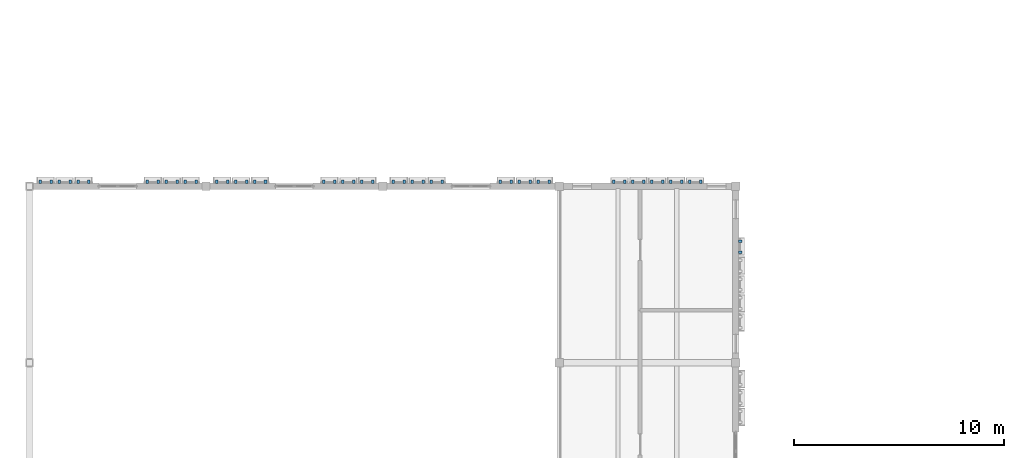
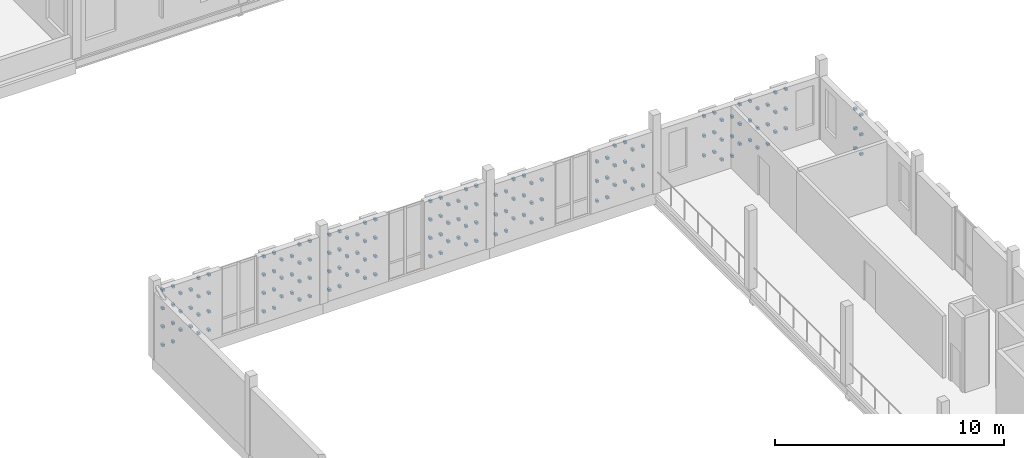
# One storey, part 73 of 81: 160 discrete accessories.
"""IFC4 building model written with IfcOpenShell, lengths in metres."""

import ifcopenshell
import ifcopenshell.guid

model = None  # the IFC model being written
_history = None  # IfcOwnerHistory: only IFC2X3 demands one
_inside = {}  # id of a spatial element -> (the spatial element, [elements in it])
_under = {}  # id of a project, library or spatial element -> (it, [spatial elements below it])
_declared = {}  # id of a project -> (the project, [libraries it declares])
_typed = {}  # id of a type object -> (the type object, [elements of that type])
_made_of = {}  # id of a material, layer set ... -> (it, [elements and type objects made of it])


def new_model(schema):
    """Start an empty IFC model of exactly this schema.

    Asked for "IFC4X3", IfcOpenShell would pick the latest addendum, in which some entities
    have other attributes; the version numbers below select the first issue.
    IFC2X3 requires an IfcOwnerHistory on every rooted entity: one is made here for all.
    """
    global model, _history
    if schema == "IFC4X3":
        model = ifcopenshell.file(schema_version=(4, 3, 0, 0))
    else:
        model = ifcopenshell.file(schema=schema)
    _inside.clear()
    _under.clear()
    _declared.clear()
    _typed.clear()
    _made_of.clear()
    _history = None
    if model.schema == "IFC2X3":
        org = make("IfcOrganization", Name="unknown")
        user = make(
            "IfcPersonAndOrganization",
            ThePerson=make("IfcPerson", FamilyName="unknown"),
            TheOrganization=org,
        )
        app = make(
            "IfcApplication",
            ApplicationDeveloper=org,
            Version="unknown",
            ApplicationFullName="unknown",
            ApplicationIdentifier="unknown",
        )
        _history = make(
            "IfcOwnerHistory",
            OwningUser=user,
            OwningApplication=app,
            ChangeAction="ADDED",
            CreationDate=0,
        )
    return model


def make(cls, **values):
    """One entity of the class cls with the attributes given. An attribute that is None is left unset."""
    return model.create_entity(
        cls, **{name: value for name, value in values.items() if value is not None}
    )


def rooted(cls, **values):
    """An entity with a GlobalId (a new one), such as an element, a storey or a relation."""
    return make(cls, GlobalId=ifcopenshell.guid.new(), OwnerHistory=_history, **values)


def si_unit(unit_type, name, prefix=None):
    """IfcSIUnit, for example si_unit("LENGTHUNIT", "METRE", prefix="MILLI")."""
    return make("IfcSIUnit", UnitType=unit_type, Prefix=prefix, Name=name)


def assignment(units):
    """IfcUnitAssignment: the units of a project."""
    return None if units is None else make("IfcUnitAssignment", Units=units)


def point(xyz):
    """IfcCartesianPoint."""
    return None if xyz is None else make("IfcCartesianPoint", Coordinates=xyz)


def direction(xyz):
    """IfcDirection."""
    return None if xyz is None else make("IfcDirection", DirectionRatios=xyz)


def frame(location, z_axis=None, x_axis=None):
    """IfcAxis2Placement3D, a coordinate frame: its origin and axes. An axis left out is left unset."""
    return make(
        "IfcAxis2Placement3D",
        Location=point(location),
        Axis=direction(z_axis),
        RefDirection=direction(x_axis),
    )


def frame_2d(location, x_axis=None):
    """IfcAxis2Placement2D, a coordinate frame in the plane: its origin and x axis."""
    return make(
        "IfcAxis2Placement2D", Location=point(location), RefDirection=direction(x_axis)
    )


def origin():
    """The frame at (0, 0, 0) with its axes left unset."""
    return frame((0.0, 0.0, 0.0))


def origin_2d():
    """The frame at (0, 0) in the plane with its x axis left unset."""
    return frame_2d((0.0, 0.0))


def place(relative_to, where):
    """IfcLocalPlacement: puts the frame where relative to a parent placement (None: the world)."""
    return make(
        "IfcLocalPlacement", PlacementRelTo=relative_to, RelativePlacement=where
    )


def context(
    kind, dimensions, precision=None, world=None, true_north=None, identifier=None
):
    """IfcGeometricRepresentationContext, for example the 3D "Model" context."""
    return make(
        "IfcGeometricRepresentationContext",
        ContextIdentifier=identifier,
        ContextType=kind,
        CoordinateSpaceDimension=dimensions,
        Precision=precision,
        WorldCoordinateSystem=world,
        TrueNorth=true_north,
    )


def subcontext(parent, identifier, kind, view, scale=None):
    """IfcGeometricRepresentationSubContext, for example "Body" below "Model"."""
    return make(
        "IfcGeometricRepresentationSubContext",
        ContextIdentifier=identifier,
        ContextType=kind,
        ParentContext=parent,
        TargetScale=scale,
        TargetView=view,
    )


def project(units=None, contexts=None):
    """IfcProject with its units and contexts."""
    return rooted(
        "IfcProject",
        Name="project",
        RepresentationContexts=contexts,
        UnitsInContext=assignment(units),
    )


def spatial(cls, under=None, at=None, **own):
    """A site, building, storey or space (cls), placed at a placement, below another one or the project."""
    s = rooted(cls, ObjectPlacement=at, **own)
    if under is not None:
        _under.setdefault(under.id(), (under, []))[1].append(s)
    return s


def profile(cls, at=None, kind="AREA", **sizes):
    """A parametric profile (cls). Its sizes go by their IFC names, for example OverallWidth=200.0."""
    return make(cls, ProfileType=kind, Position=at, **sizes)


def rectangle(**sizes):
    """IfcRectangleProfileDef."""
    return profile("IfcRectangleProfileDef", **sizes)


def extrude(swept, where, along, depth):
    """IfcExtrudedAreaSolid: the profile swept, set in the frame where, extruded along a direction by depth."""
    return make(
        "IfcExtrudedAreaSolid",
        SweptArea=swept,
        Position=where,
        ExtrudedDirection=direction(along),
        Depth=depth,
    )


def shape(context_of_items, identifier, shape_type, items):
    """IfcShapeRepresentation: the items that make up one representation, for example the "Body"."""
    return make(
        "IfcShapeRepresentation",
        ContextOfItems=context_of_items,
        RepresentationIdentifier=identifier,
        RepresentationType=shape_type,
        Items=items,
    )


def material(Name=None, Category=None):
    """IfcMaterial."""
    return make("IfcMaterial", Name=Name, Category=Category)


def made_of(thing, what):
    """Note that an element or type object is made of a material, layer set ...; save() writes the relation."""
    if what is not None:
        _made_of.setdefault(what.id(), (what, []))[1].append(thing)
    return thing


def type_object(cls, material=None, **own):
    """A type object (cls), such as IfcWallType, which elements share."""
    return made_of(rooted(cls, **own), material)


def element(
    cls,
    number,
    at=None,
    inside=None,
    cuts=None,
    type_object=None,
    material=None,
    context=None,
    identifier="Body",
    shape_type=None,
    held_by="IfcProductDefinitionShape",
    body=None,
    shapes=None,
    **own,
):
    """One element of the class cls, such as IfcWall. Its Tag is "e" and its number.

    at: its placement. inside: the storey or other place that contains it. cuts: it is an
    opening in that element (IfcRelVoidsElement). A single representation is given by context,
    identifier, shape_type and body (its items); several are given by shapes. held_by: the class
    of the entity that holds the representations. save() writes the other relations.
    """
    e = rooted(cls, Tag="e%d" % number, ObjectPlacement=at, **own)
    if body is not None:
        shapes = [shape(context, identifier, shape_type, body)]
    if shapes is not None:
        e.Representation = make(held_by, Representations=shapes)
    if inside is not None:
        _inside.setdefault(inside.id(), (inside, []))[1].append(e)
    if cuts is not None:
        rooted(
            "IfcRelVoidsElement", RelatingBuildingElement=cuts, RelatedOpeningElement=e
        )
    if type_object is not None:
        _typed.setdefault(type_object.id(), (type_object, []))[1].append(e)
    return made_of(e, material)


def aggregate(whole, parts):
    """IfcRelAggregates: a whole, such as a stair, and the parts it consists of."""
    return rooted("IfcRelAggregates", RelatingObject=whole, RelatedObjects=parts)


def save(model, path):
    """Write the relations noted so far, then the file.

    IfcRelAggregates (storeys below a building ...), IfcRelContainedInSpatialStructure (elements
    in a storey), IfcRelDefinesByType, IfcRelAssociatesMaterial and IfcRelDeclares: one each for
    every whole, place, type object, material and project.
    """
    for whole, parts in _under.values():
        aggregate(whole, parts)
    for where, things in _inside.values():
        rooted(
            "IfcRelContainedInSpatialStructure",
            RelatedElements=things,
            RelatingStructure=where,
        )
    for kind, things in _typed.values():
        rooted("IfcRelDefinesByType", RelatedObjects=things, RelatingType=kind)
    for what, things in _made_of.values():
        rooted("IfcRelAssociatesMaterial", RelatedObjects=things, RelatingMaterial=what)
    for by, libraries in _declared.values():
        rooted("IfcRelDeclares", RelatingContext=by, RelatedDefinitions=libraries)
    model.write(path)


model = new_model("IFC4")

# Units and contexts
model_context = context("Model", 3, precision=1e-05, world=origin(), true_north=direction((0.0, 1.0)))
body_context = subcontext(model_context, "Body", "Model", "MODEL_VIEW")
ifc_project = project(units=[si_unit("LENGTHUNIT", "METRE"), si_unit("AREAUNIT", "SQUARE_METRE"), si_unit("VOLUMEUNIT", "CUBIC_METRE"), si_unit("PLANEANGLEUNIT", "RADIAN"), si_unit("MASSUNIT", "GRAM", prefix="KILO")], contexts=[model_context])

# Site, building, storey
site_placement = place(None, origin())
site = spatial("IfcSite", under=ifc_project, at=site_placement, CompositionType="ELEMENT")
building_placement = place(site_placement, origin())
building = spatial("IfcBuilding", under=site, at=building_placement, Name="Kahlenmark Community Centre", CompositionType="ELEMENT")
storey_placement = place(building_placement, frame((0.0, 0.0, 9.60009765625)))
storey = spatial("IfcBuildingStorey", under=building, at=storey_placement, Name="L02", CompositionType="ELEMENT", Elevation=9.60009765625)

# Discrete accessories
ifc_material = material(Name="Stainless steel 1.4401 rainscreen bracket", Category="steel")
discrete_accessory_type = type_object("IfcDiscreteAccessoryType", Name="DAT-BRACKET-TC", PredefinedType="BRACKET", material=ifc_material)
for number, where, z_axis, x_axis, name in (
    (1, (11.929931640625, 76.2099609375, 0.264892578125), (0.0, 0.0, 1.0), (-1.0, 0.0, 0.0), "Terracotta cassette bracket 2473.1"),
    (2, (11.409912109375, 76.2099609375, 0.264892578125), (0.0, 0.0, 1.0), (-1.0, 0.0, 0.0), "Terracotta cassette bracket 2473.2"),
    (3, (11.929931640625, 76.2099609375, 1.244873046875), (0.0, 0.0, 1.0), (-1.0, 0.0, 0.0), "Terracotta cassette bracket 2475.1"),
    (4, (11.409912109375, 76.2099609375, 1.244873046875), (0.0, 0.0, 1.0), (-1.0, 0.0, 0.0), "Terracotta cassette bracket 2475.2"),
    (5, (11.929931640625, 76.2099609375, 2.224853515625), (0.0, 0.0, 1.0), (-1.0, 0.0, 0.0), "Terracotta cassette bracket 2477.1"),
    (6, (11.409912109375, 76.2099609375, 2.224853515625), (0.0, 0.0, 1.0), (-1.0, 0.0, 0.0), "Terracotta cassette bracket 2477.2"),
    (7, (11.929931640625, 76.2099609375, 3.204833984375), (0.0, 0.0, 1.0), (-1.0, 0.0, 0.0), "Terracotta cassette bracket 2479.1"),
    (8, (11.409912109375, 76.2099609375, 3.204833984375), (0.0, 0.0, 1.0), (-1.0, 0.0, 0.0), "Terracotta cassette bracket 2479.2"),
    (9, (11.030029296875, 76.2099609375, 0.7548828125), (0.0, 0.0, 1.0), (-1.0, 0.0, 0.0), "Terracotta cassette bracket 2481.1"),
    (10, (10.510009765625, 76.2099609375, 0.7548828125), (0.0, 0.0, 1.0), (-1.0, 0.0, 0.0), "Terracotta cassette bracket 2481.2"),
    (11, (11.030029296875, 76.2099609375, 1.73486328125), (0.0, 0.0, 1.0), (-1.0, 0.0, 0.0), "Terracotta cassette bracket 2483.1"),
    (12, (10.510009765625, 76.2099609375, 1.73486328125), (0.0, 0.0, 1.0), (-1.0, 0.0, 0.0), "Terracotta cassette bracket 2483.2"),
    (13, (11.030029296875, 76.2099609375, 2.71484375), (0.0, 0.0, 1.0), (-1.0, 0.0, 0.0), "Terracotta cassette bracket 2485.1"),
    (14, (10.510009765625, 76.2099609375, 2.71484375), (0.0, 0.0, 1.0), (-1.0, 0.0, 0.0), "Terracotta cassette bracket 2485.2"),
    (15, (10.1298828125, 76.2099609375, 0.264892578125), (0.0, 0.0, 1.0), (-1.0, 0.0, 0.0), "Terracotta cassette bracket 2487.1"),
    (16, (9.610107421875, 76.2099609375, 0.264892578125), (0.0, 0.0, 1.0), (-1.0, 0.0, 0.0), "Terracotta cassette bracket 2487.2"),
    (17, (10.1298828125, 76.2099609375, 1.244873046875), (0.0, 0.0, 1.0), (-1.0, 0.0, 0.0), "Terracotta cassette bracket 2489.1"),
    (18, (9.610107421875, 76.2099609375, 1.244873046875), (0.0, 0.0, 1.0), (-1.0, 0.0, 0.0), "Terracotta cassette bracket 2489.2"),
    (19, (10.1298828125, 76.2099609375, 2.224853515625), (0.0, 0.0, 1.0), (-1.0, 0.0, 0.0), "Terracotta cassette bracket 2491.1"),
    (20, (9.610107421875, 76.2099609375, 2.224853515625), (0.0, 0.0, 1.0), (-1.0, 0.0, 0.0), "Terracotta cassette bracket 2491.2"),
    (21, (10.1298828125, 76.2099609375, 3.204833984375), (0.0, 0.0, 1.0), (-1.0, 0.0, 0.0), "Terracotta cassette bracket 2493.1"),
    (22, (9.610107421875, 76.2099609375, 3.204833984375), (0.0, 0.0, 1.0), (-1.0, 0.0, 0.0), "Terracotta cassette bracket 2493.2"),
    (23, (6.830078125, 76.2099609375, 0.264892578125), (0.0, 0.0, 1.0), (-1.0, 0.0, 0.0), "Terracotta cassette bracket 2494.1"),
    (24, (6.31005859375, 76.2099609375, 0.264892578125), (0.0, 0.0, 1.0), (-1.0, 0.0, 0.0), "Terracotta cassette bracket 2494.2"),
    (25, (6.830078125, 76.2099609375, 1.244873046875), (0.0, 0.0, 1.0), (-1.0, 0.0, 0.0), "Terracotta cassette bracket 2496.1"),
    (26, (6.31005859375, 76.2099609375, 1.244873046875), (0.0, 0.0, 1.0), (-1.0, 0.0, 0.0), "Terracotta cassette bracket 2496.2"),
    (27, (6.830078125, 76.2099609375, 2.224853515625), (0.0, 0.0, 1.0), (-1.0, 0.0, 0.0), "Terracotta cassette bracket 2498.1"),
    (28, (6.31005859375, 76.2099609375, 2.224853515625), (0.0, 0.0, 1.0), (-1.0, 0.0, 0.0), "Terracotta cassette bracket 2498.2"),
    (29, (6.830078125, 76.2099609375, 3.204833984375), (0.0, 0.0, 1.0), (-1.0, 0.0, 0.0), "Terracotta cassette bracket 2500.1"),
    (30, (6.31005859375, 76.2099609375, 3.204833984375), (0.0, 0.0, 1.0), (-1.0, 0.0, 0.0), "Terracotta cassette bracket 2500.2"),
    (31, (5.929931640625, 76.2099609375, 0.7548828125), (0.0, 0.0, 1.0), (-1.0, 0.0, 0.0), "Terracotta cassette bracket 2502.1"),
    (32, (5.409912109375, 76.2099609375, 0.7548828125), (0.0, 0.0, 1.0), (-1.0, 0.0, 0.0), "Terracotta cassette bracket 2502.2"),
    (33, (5.929931640625, 76.2099609375, 1.73486328125), (0.0, 0.0, 1.0), (-1.0, 0.0, 0.0), "Terracotta cassette bracket 2504.1"),
    (34, (5.409912109375, 76.2099609375, 1.73486328125), (0.0, 0.0, 1.0), (-1.0, 0.0, 0.0), "Terracotta cassette bracket 2504.2"),
    (35, (5.929931640625, 76.2099609375, 2.71484375), (0.0, 0.0, 1.0), (-1.0, 0.0, 0.0), "Terracotta cassette bracket 2506.1"),
    (36, (5.409912109375, 76.2099609375, 2.71484375), (0.0, 0.0, 1.0), (-1.0, 0.0, 0.0), "Terracotta cassette bracket 2506.2"),
    (37, (5.030029296875, 76.2099609375, 0.264892578125), (0.0, 0.0, 1.0), (-1.0, 0.0, 0.0), "Terracotta cassette bracket 2508.1"),
    (38, (4.510009765625, 76.2099609375, 0.264892578125), (0.0, 0.0, 1.0), (-1.0, 0.0, 0.0), "Terracotta cassette bracket 2508.2"),
    (39, (5.030029296875, 76.2099609375, 1.244873046875), (0.0, 0.0, 1.0), (-1.0, 0.0, 0.0), "Terracotta cassette bracket 2510.1"),
    (40, (4.510009765625, 76.2099609375, 1.244873046875), (0.0, 0.0, 1.0), (-1.0, 0.0, 0.0), "Terracotta cassette bracket 2510.2"),
    (41, (5.030029296875, 76.2099609375, 2.224853515625), (0.0, 0.0, 1.0), (-1.0, 0.0, 0.0), "Terracotta cassette bracket 2512.1"),
    (42, (4.510009765625, 76.2099609375, 2.224853515625), (0.0, 0.0, 1.0), (-1.0, 0.0, 0.0), "Terracotta cassette bracket 2512.2"),
    (43, (5.030029296875, 76.2099609375, 3.204833984375), (0.0, 0.0, 1.0), (-1.0, 0.0, 0.0), "Terracotta cassette bracket 2514.1"),
    (44, (4.510009765625, 76.2099609375, 3.204833984375), (0.0, 0.0, 1.0), (-1.0, 0.0, 0.0), "Terracotta cassette bracket 2514.2"),
    (45, (20.330078125, 76.2099609375, 0.264892578125), (0.0, 0.0, 1.0), (-1.0, 0.0, 0.0), "Terracotta cassette bracket 2515.1"),
    (46, (19.81005859375, 76.2099609375, 0.264892578125), (0.0, 0.0, 1.0), (-1.0, 0.0, 0.0), "Terracotta cassette bracket 2515.2"),
    (47, (20.330078125, 76.2099609375, 1.244873046875), (0.0, 0.0, 1.0), (-1.0, 0.0, 0.0), "Terracotta cassette bracket 2517.1"),
    (48, (19.81005859375, 76.2099609375, 1.244873046875), (0.0, 0.0, 1.0), (-1.0, 0.0, 0.0), "Terracotta cassette bracket 2517.2"),
    (49, (20.330078125, 76.2099609375, 2.224853515625), (0.0, 0.0, 1.0), (-1.0, 0.0, 0.0), "Terracotta cassette bracket 2519.1"),
    (50, (19.81005859375, 76.2099609375, 2.224853515625), (0.0, 0.0, 1.0), (-1.0, 0.0, 0.0), "Terracotta cassette bracket 2519.2"),
    (51, (20.330078125, 76.2099609375, 3.204833984375), (0.0, 0.0, 1.0), (-1.0, 0.0, 0.0), "Terracotta cassette bracket 2521.1"),
    (52, (19.81005859375, 76.2099609375, 3.204833984375), (0.0, 0.0, 1.0), (-1.0, 0.0, 0.0), "Terracotta cassette bracket 2521.2"),
    (53, (19.429931640625, 76.2099609375, 0.7548828125), (0.0, 0.0, 1.0), (-1.0, 0.0, 0.0), "Terracotta cassette bracket 2523.1"),
    (54, (18.909912109375, 76.2099609375, 0.7548828125), (0.0, 0.0, 1.0), (-1.0, 0.0, 0.0), "Terracotta cassette bracket 2523.2"),
    (55, (19.429931640625, 76.2099609375, 1.73486328125), (0.0, 0.0, 1.0), (-1.0, 0.0, 0.0), "Terracotta cassette bracket 2525.1"),
    (56, (18.909912109375, 76.2099609375, 1.73486328125), (0.0, 0.0, 1.0), (-1.0, 0.0, 0.0), "Terracotta cassette bracket 2525.2"),
    (57, (19.429931640625, 76.2099609375, 2.71484375), (0.0, 0.0, 1.0), (-1.0, 0.0, 0.0), "Terracotta cassette bracket 2527.1"),
    (58, (18.909912109375, 76.2099609375, 2.71484375), (0.0, 0.0, 1.0), (-1.0, 0.0, 0.0), "Terracotta cassette bracket 2527.2"),
    (59, (18.530029296875, 76.2099609375, 0.264892578125), (0.0, 0.0, 1.0), (-1.0, 0.0, 0.0), "Terracotta cassette bracket 2529.1"),
    (60, (18.010009765625, 76.2099609375, 0.264892578125), (0.0, 0.0, 1.0), (-1.0, 0.0, 0.0), "Terracotta cassette bracket 2529.2"),
    (61, (18.530029296875, 76.2099609375, 1.244873046875), (0.0, 0.0, 1.0), (-1.0, 0.0, 0.0), "Terracotta cassette bracket 2531.1"),
    (62, (18.010009765625, 76.2099609375, 1.244873046875), (0.0, 0.0, 1.0), (-1.0, 0.0, 0.0), "Terracotta cassette bracket 2531.2"),
    (63, (18.530029296875, 76.2099609375, 2.224853515625), (0.0, 0.0, 1.0), (-1.0, 0.0, 0.0), "Terracotta cassette bracket 2533.1"),
    (64, (18.010009765625, 76.2099609375, 2.224853515625), (0.0, 0.0, 1.0), (-1.0, 0.0, 0.0), "Terracotta cassette bracket 2533.2"),
    (65, (18.530029296875, 76.2099609375, 3.204833984375), (0.0, 0.0, 1.0), (-1.0, 0.0, 0.0), "Terracotta cassette bracket 2535.1"),
    (66, (18.010009765625, 76.2099609375, 3.204833984375), (0.0, 0.0, 1.0), (-1.0, 0.0, 0.0), "Terracotta cassette bracket 2535.2"),
    (67, (15.22998046875, 76.2099609375, 0.264892578125), (0.0, 0.0, 1.0), (-1.0, 0.0, 0.0), "Terracotta cassette bracket 2536.1"),
    (68, (14.7099609375, 76.2099609375, 0.264892578125), (0.0, 0.0, 1.0), (-1.0, 0.0, 0.0), "Terracotta cassette bracket 2536.2"),
    (69, (15.22998046875, 76.2099609375, 1.244873046875), (0.0, 0.0, 1.0), (-1.0, 0.0, 0.0), "Terracotta cassette bracket 2538.1"),
    (70, (14.7099609375, 76.2099609375, 1.244873046875), (0.0, 0.0, 1.0), (-1.0, 0.0, 0.0), "Terracotta cassette bracket 2538.2"),
    (71, (15.22998046875, 76.2099609375, 2.224853515625), (0.0, 0.0, 1.0), (-1.0, 0.0, 0.0), "Terracotta cassette bracket 2540.1"),
    (72, (14.7099609375, 76.2099609375, 2.224853515625), (0.0, 0.0, 1.0), (-1.0, 0.0, 0.0), "Terracotta cassette bracket 2540.2"),
    (73, (15.22998046875, 76.2099609375, 3.204833984375), (0.0, 0.0, 1.0), (-1.0, 0.0, 0.0), "Terracotta cassette bracket 2542.1"),
    (74, (14.7099609375, 76.2099609375, 3.204833984375), (0.0, 0.0, 1.0), (-1.0, 0.0, 0.0), "Terracotta cassette bracket 2542.2"),
    (75, (14.330078125, 76.2099609375, 0.7548828125), (0.0, 0.0, 1.0), (-1.0, 0.0, 0.0), "Terracotta cassette bracket 2544.1"),
    (76, (13.81005859375, 76.2099609375, 0.7548828125), (0.0, 0.0, 1.0), (-1.0, 0.0, 0.0), "Terracotta cassette bracket 2544.2"),
    (77, (14.330078125, 76.2099609375, 1.73486328125), (0.0, 0.0, 1.0), (-1.0, 0.0, 0.0), "Terracotta cassette bracket 2546.1"),
    (78, (13.81005859375, 76.2099609375, 1.73486328125), (0.0, 0.0, 1.0), (-1.0, 0.0, 0.0), "Terracotta cassette bracket 2546.2"),
    (79, (14.330078125, 76.2099609375, 2.71484375), (0.0, 0.0, 1.0), (-1.0, 0.0, 0.0), "Terracotta cassette bracket 2548.1"),
    (80, (13.81005859375, 76.2099609375, 2.71484375), (0.0, 0.0, 1.0), (-1.0, 0.0, 0.0), "Terracotta cassette bracket 2548.2"),
    (81, (13.429931640625, 76.2099609375, 0.264892578125), (0.0, 0.0, 1.0), (-1.0, 0.0, 0.0), "Terracotta cassette bracket 2550.1"),
    (82, (12.909912109375, 76.2099609375, 0.264892578125), (0.0, 0.0, 1.0), (-1.0, 0.0, 0.0), "Terracotta cassette bracket 2550.2"),
    (83, (13.429931640625, 76.2099609375, 1.244873046875), (0.0, 0.0, 1.0), (-1.0, 0.0, 0.0), "Terracotta cassette bracket 2552.1"),
    (84, (12.909912109375, 76.2099609375, 1.244873046875), (0.0, 0.0, 1.0), (-1.0, 0.0, 0.0), "Terracotta cassette bracket 2552.2"),
    (85, (13.429931640625, 76.2099609375, 2.224853515625), (0.0, 0.0, 1.0), (-1.0, 0.0, 0.0), "Terracotta cassette bracket 2554.1"),
    (86, (12.909912109375, 76.2099609375, 2.224853515625), (0.0, 0.0, 1.0), (-1.0, 0.0, 0.0), "Terracotta cassette bracket 2554.2"),
    (87, (13.429931640625, 76.2099609375, 3.204833984375), (0.0, 0.0, 1.0), (-1.0, 0.0, 0.0), "Terracotta cassette bracket 2556.1"),
    (88, (12.909912109375, 76.2099609375, 3.204833984375), (0.0, 0.0, 1.0), (-1.0, 0.0, 0.0), "Terracotta cassette bracket 2556.2"),
    (89, (28.72998046875, 76.2099609375, 0.2822265625), (0.0, 0.0, 1.0), (-1.0, 0.0, 0.0), "Terracotta cassette bracket 2557.1"),
    (90, (28.2099609375, 76.2099609375, 0.2822265625), (0.0, 0.0, 1.0), (-1.0, 0.0, 0.0), "Terracotta cassette bracket 2557.2"),
    (91, (28.72998046875, 76.2099609375, 1.332275390625), (0.0, 0.0, 1.0), (-1.0, 0.0, 0.0), "Terracotta cassette bracket 2559.1"),
    (92, (28.2099609375, 76.2099609375, 1.332275390625), (0.0, 0.0, 1.0), (-1.0, 0.0, 0.0), "Terracotta cassette bracket 2559.2"),
    (93, (28.72998046875, 76.2099609375, 2.38232421875), (0.0, 0.0, 1.0), (-1.0, 0.0, 0.0), "Terracotta cassette bracket 2561.1"),
    (94, (28.2099609375, 76.2099609375, 2.38232421875), (0.0, 0.0, 1.0), (-1.0, 0.0, 0.0), "Terracotta cassette bracket 2561.2"),
    (95, (27.830078125, 76.2099609375, 0.807373046875), (0.0, 0.0, 1.0), (-1.0, 0.0, 0.0), "Terracotta cassette bracket 2564.1"),
    (96, (27.31005859375, 76.2099609375, 0.807373046875), (0.0, 0.0, 1.0), (-1.0, 0.0, 0.0), "Terracotta cassette bracket 2564.2"),
    (97, (27.830078125, 76.2099609375, 1.857421875), (0.0, 0.0, 1.0), (-1.0, 0.0, 0.0), "Terracotta cassette bracket 2566.1"),
    (98, (27.31005859375, 76.2099609375, 1.857421875), (0.0, 0.0, 1.0), (-1.0, 0.0, 0.0), "Terracotta cassette bracket 2566.2"),
    (99, (27.830078125, 76.2099609375, 2.9072265625), (0.0, 0.0, 1.0), (-1.0, 0.0, 0.0), "Terracotta cassette bracket 2568.1"),
    (100, (27.31005859375, 76.2099609375, 2.9072265625), (0.0, 0.0, 1.0), (-1.0, 0.0, 0.0), "Terracotta cassette bracket 2568.2"),
    (101, (26.929931640625, 76.2099609375, 0.2822265625), (0.0, 0.0, 1.0), (-1.0, 0.0, 0.0), "Terracotta cassette bracket 2569.1"),
    (102, (26.409912109375, 76.2099609375, 0.2822265625), (0.0, 0.0, 1.0), (-1.0, 0.0, 0.0), "Terracotta cassette bracket 2569.2"),
    (103, (26.929931640625, 76.2099609375, 1.332275390625), (0.0, 0.0, 1.0), (-1.0, 0.0, 0.0), "Terracotta cassette bracket 2571.1"),
    (104, (26.409912109375, 76.2099609375, 1.332275390625), (0.0, 0.0, 1.0), (-1.0, 0.0, 0.0), "Terracotta cassette bracket 2571.2"),
    (105, (26.929931640625, 76.2099609375, 2.38232421875), (0.0, 0.0, 1.0), (-1.0, 0.0, 0.0), "Terracotta cassette bracket 2573.1"),
    (106, (26.409912109375, 76.2099609375, 2.38232421875), (0.0, 0.0, 1.0), (-1.0, 0.0, 0.0), "Terracotta cassette bracket 2573.2"),
    (107, (23.6298828125, 76.2099609375, 0.2822265625), (0.0, 0.0, 1.0), (-1.0, 0.0, 0.0), "Terracotta cassette bracket 2575.1"),
    (108, (23.110107421875, 76.2099609375, 0.2822265625), (0.0, 0.0, 1.0), (-1.0, 0.0, 0.0), "Terracotta cassette bracket 2575.2"),
    (109, (23.6298828125, 76.2099609375, 1.332275390625), (0.0, 0.0, 1.0), (-1.0, 0.0, 0.0), "Terracotta cassette bracket 2577.1"),
    (110, (23.110107421875, 76.2099609375, 1.332275390625), (0.0, 0.0, 1.0), (-1.0, 0.0, 0.0), "Terracotta cassette bracket 2577.2"),
    (111, (23.6298828125, 76.2099609375, 2.38232421875), (0.0, 0.0, 1.0), (-1.0, 0.0, 0.0), "Terracotta cassette bracket 2579.1"),
    (112, (23.110107421875, 76.2099609375, 2.38232421875), (0.0, 0.0, 1.0), (-1.0, 0.0, 0.0), "Terracotta cassette bracket 2579.2"),
    (113, (22.72998046875, 76.2099609375, 0.807373046875), (0.0, 0.0, 1.0), (-1.0, 0.0, 0.0), "Terracotta cassette bracket 2582.1"),
    (114, (22.2099609375, 76.2099609375, 0.807373046875), (0.0, 0.0, 1.0), (-1.0, 0.0, 0.0), "Terracotta cassette bracket 2582.2"),
    (115, (22.72998046875, 76.2099609375, 1.857421875), (0.0, 0.0, 1.0), (-1.0, 0.0, 0.0), "Terracotta cassette bracket 2584.1"),
    (116, (22.2099609375, 76.2099609375, 1.857421875), (0.0, 0.0, 1.0), (-1.0, 0.0, 0.0), "Terracotta cassette bracket 2584.2"),
    (117, (22.72998046875, 76.2099609375, 2.9072265625), (0.0, 0.0, 1.0), (-1.0, 0.0, 0.0), "Terracotta cassette bracket 2586.1"),
    (118, (22.2099609375, 76.2099609375, 2.9072265625), (0.0, 0.0, 1.0), (-1.0, 0.0, 0.0), "Terracotta cassette bracket 2586.2"),
    (119, (21.830078125, 76.2099609375, 0.2822265625), (0.0, 0.0, 1.0), (-1.0, 0.0, 0.0), "Terracotta cassette bracket 2587.1"),
    (120, (21.31005859375, 76.2099609375, 0.2822265625), (0.0, 0.0, 1.0), (-1.0, 0.0, 0.0), "Terracotta cassette bracket 2587.2"),
    (121, (21.830078125, 76.2099609375, 1.332275390625), (0.0, 0.0, 1.0), (-1.0, 0.0, 0.0), "Terracotta cassette bracket 2589.1"),
    (122, (21.31005859375, 76.2099609375, 1.332275390625), (0.0, 0.0, 1.0), (-1.0, 0.0, 0.0), "Terracotta cassette bracket 2589.2"),
    (123, (21.830078125, 76.2099609375, 2.38232421875), (0.0, 0.0, 1.0), (-1.0, 0.0, 0.0), "Terracotta cassette bracket 2591.1"),
    (124, (21.31005859375, 76.2099609375, 2.38232421875), (0.0, 0.0, 1.0), (-1.0, 0.0, 0.0), "Terracotta cassette bracket 2591.2"),
    (125, (35.929931640625, 76.2099609375, 0.807373046875), (0.0, 0.0, 1.0), (-1.0, 0.0, 0.0), "Terracotta cassette bracket 2594.1"),
    (126, (35.409912109375, 76.2099609375, 0.807373046875), (0.0, 0.0, 1.0), (-1.0, 0.0, 0.0), "Terracotta cassette bracket 2594.2"),
    (127, (35.929931640625, 76.2099609375, 1.857421875), (0.0, 0.0, 1.0), (-1.0, 0.0, 0.0), "Terracotta cassette bracket 2596.1"),
    (128, (35.409912109375, 76.2099609375, 1.857421875), (0.0, 0.0, 1.0), (-1.0, 0.0, 0.0), "Terracotta cassette bracket 2596.2"),
    (129, (35.929931640625, 76.2099609375, 2.9072265625), (0.0, 0.0, 1.0), (-1.0, 0.0, 0.0), "Terracotta cassette bracket 2598.1"),
    (130, (35.409912109375, 76.2099609375, 2.9072265625), (0.0, 0.0, 1.0), (-1.0, 0.0, 0.0), "Terracotta cassette bracket 2598.2"),
    (131, (35.030029296875, 76.2099609375, 0.2822265625), (0.0, 0.0, 1.0), (-1.0, 0.0, 0.0), "Terracotta cassette bracket 2599.1"),
    (132, (34.510009765625, 76.2099609375, 0.2822265625), (0.0, 0.0, 1.0), (-1.0, 0.0, 0.0), "Terracotta cassette bracket 2599.2"),
    (133, (35.030029296875, 76.2099609375, 1.332275390625), (0.0, 0.0, 1.0), (-1.0, 0.0, 0.0), "Terracotta cassette bracket 2601.1"),
    (134, (34.510009765625, 76.2099609375, 1.332275390625), (0.0, 0.0, 1.0), (-1.0, 0.0, 0.0), "Terracotta cassette bracket 2601.2"),
    (135, (35.030029296875, 76.2099609375, 2.38232421875), (0.0, 0.0, 1.0), (-1.0, 0.0, 0.0), "Terracotta cassette bracket 2603.1"),
    (136, (34.510009765625, 76.2099609375, 2.38232421875), (0.0, 0.0, 1.0), (-1.0, 0.0, 0.0), "Terracotta cassette bracket 2603.2"),
    (137, (34.1298828125, 76.2099609375, 0.807373046875), (0.0, 0.0, 1.0), (-1.0, 0.0, 0.0), "Terracotta cassette bracket 2606.1"),
    (138, (33.610107421875, 76.2099609375, 0.807373046875), (0.0, 0.0, 1.0), (-1.0, 0.0, 0.0), "Terracotta cassette bracket 2606.2"),
    (139, (34.1298828125, 76.2099609375, 1.857421875), (0.0, 0.0, 1.0), (-1.0, 0.0, 0.0), "Terracotta cassette bracket 2608.1"),
    (140, (33.610107421875, 76.2099609375, 1.857421875), (0.0, 0.0, 1.0), (-1.0, 0.0, 0.0), "Terracotta cassette bracket 2608.2"),
    (141, (34.1298828125, 76.2099609375, 2.9072265625), (0.0, 0.0, 1.0), (-1.0, 0.0, 0.0), "Terracotta cassette bracket 2610.1"),
    (142, (33.610107421875, 76.2099609375, 2.9072265625), (0.0, 0.0, 1.0), (-1.0, 0.0, 0.0), "Terracotta cassette bracket 2610.2"),
    (143, (33.22998046875, 76.2099609375, 0.2822265625), (0.0, 0.0, 1.0), (-1.0, 0.0, 0.0), "Terracotta cassette bracket 2611.1"),
    (144, (32.7099609375, 76.2099609375, 0.2822265625), (0.0, 0.0, 1.0), (-1.0, 0.0, 0.0), "Terracotta cassette bracket 2611.2"),
    (145, (33.22998046875, 76.2099609375, 1.332275390625), (0.0, 0.0, 1.0), (-1.0, 0.0, 0.0), "Terracotta cassette bracket 2613.1"),
    (146, (32.7099609375, 76.2099609375, 1.332275390625), (0.0, 0.0, 1.0), (-1.0, 0.0, 0.0), "Terracotta cassette bracket 2613.2"),
    (147, (33.22998046875, 76.2099609375, 2.38232421875), (0.0, 0.0, 1.0), (-1.0, 0.0, 0.0), "Terracotta cassette bracket 2615.1"),
    (148, (32.7099609375, 76.2099609375, 2.38232421875), (0.0, 0.0, 1.0), (-1.0, 0.0, 0.0), "Terracotta cassette bracket 2615.2"),
    (149, (32.330078125, 76.2099609375, 0.807373046875), (0.0, 0.0, 1.0), (-1.0, 0.0, 0.0), "Terracotta cassette bracket 2618.1"),
    (150, (31.81005859375, 76.2099609375, 0.807373046875), (0.0, 0.0, 1.0), (-1.0, 0.0, 0.0), "Terracotta cassette bracket 2618.2"),
    (151, (32.330078125, 76.2099609375, 1.857421875), (0.0, 0.0, 1.0), (-1.0, 0.0, 0.0), "Terracotta cassette bracket 2620.1"),
    (152, (31.81005859375, 76.2099609375, 1.857421875), (0.0, 0.0, 1.0), (-1.0, 0.0, 0.0), "Terracotta cassette bracket 2620.2"),
    (153, (32.330078125, 76.2099609375, 2.9072265625), (0.0, 0.0, 1.0), (-1.0, 0.0, 0.0), "Terracotta cassette bracket 2622.1"),
    (154, (31.81005859375, 76.2099609375, 2.9072265625), (0.0, 0.0, 1.0), (-1.0, 0.0, 0.0), "Terracotta cassette bracket 2622.2"),
    (155, (37.81005859375, 72.8701171875, 0.807373046875), (0.0, 0.0, 1.0), (0.0, 1.0, 0.0), "Terracotta cassette bracket 2756.1"),
    (156, (37.81005859375, 73.389892578125, 0.807373046875), (0.0, 0.0, 1.0), (0.0, 1.0, 0.0), "Terracotta cassette bracket 2756.2"),
    (157, (37.81005859375, 72.8701171875, 1.857421875), (0.0, 0.0, 1.0), (0.0, 1.0, 0.0), "Terracotta cassette bracket 2758.1"),
    (158, (37.81005859375, 73.389892578125, 1.857421875), (0.0, 0.0, 1.0), (0.0, 1.0, 0.0), "Terracotta cassette bracket 2758.2"),
    (159, (37.81005859375, 72.8701171875, 2.9072265625), (0.0, 0.0, 1.0), (0.0, 1.0, 0.0), "Terracotta cassette bracket 2760.1"),
    (160, (37.81005859375, 73.389892578125, 2.9072265625), (0.0, 0.0, 1.0), (0.0, 1.0, 0.0), "Terracotta cassette bracket 2760.2"),
):
    element("IfcDiscreteAccessory", number, at=place(storey_placement, frame(where, z_axis=z_axis, x_axis=x_axis)), inside=storey, type_object=discrete_accessory_type, Name=name, PredefinedType="BRACKET", context=body_context, shape_type="SweptSolid", body=[
        extrude(rectangle(XDim=0.1201171875, YDim=0.159912109375, at=origin_2d()), origin(), (0.0, 0.0, 1.0), 0.1201171875),
    ])

save(model, "model.ifc")
